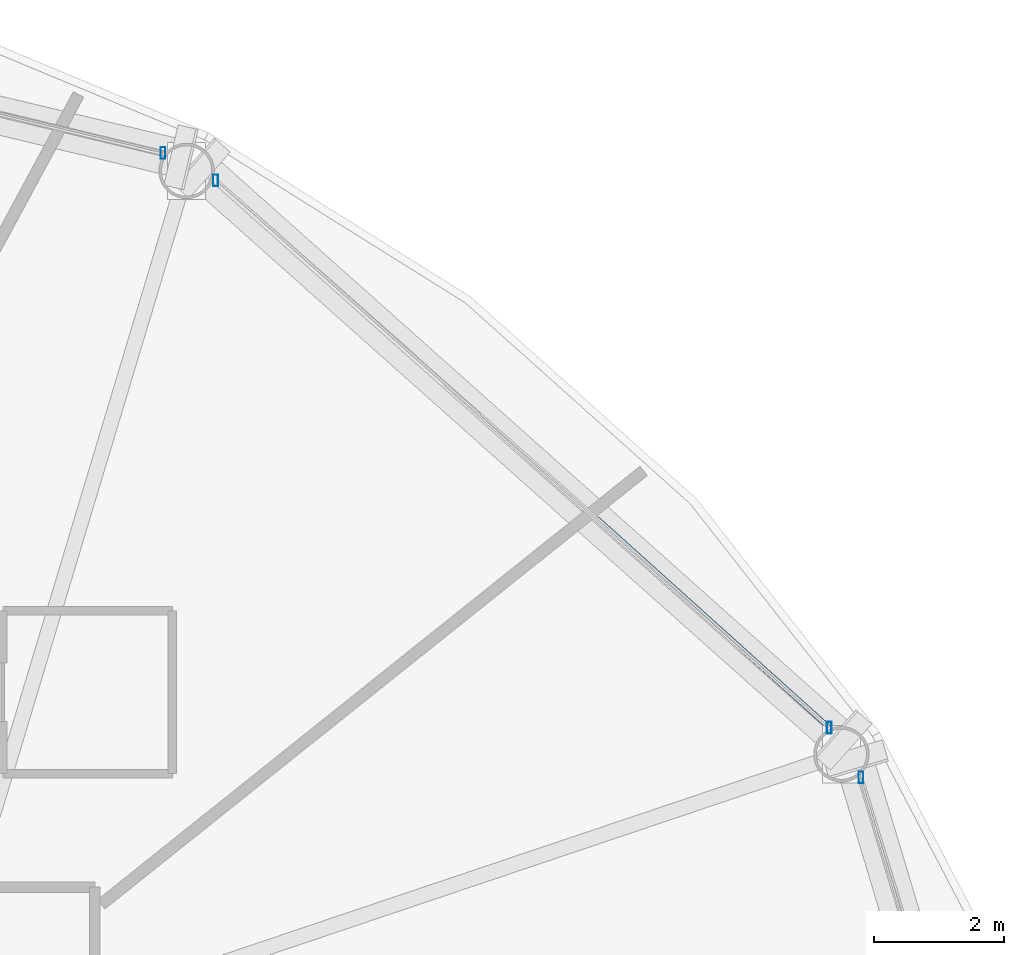
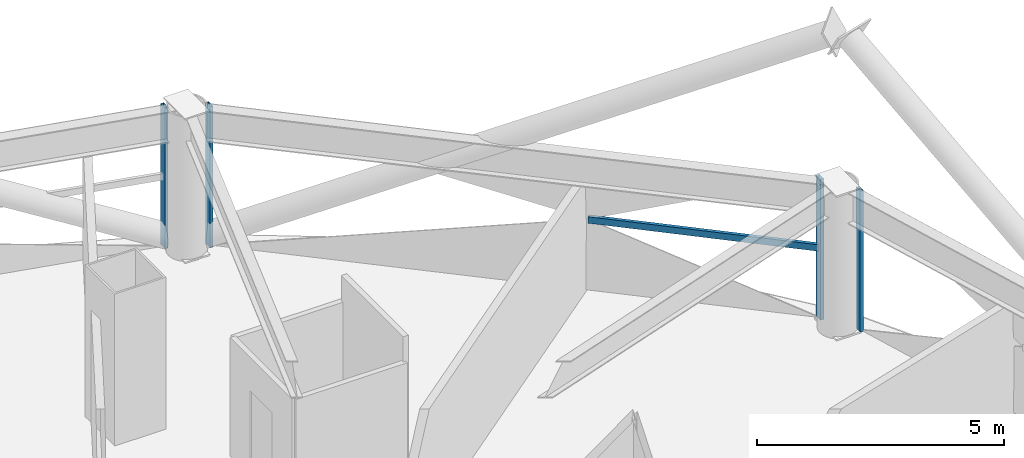
# One storey, part 19 of 30: 5 members, 3 elements without a shape of their own.
"""IFC4 building model written with IfcOpenShell, lengths in metres."""

from ifc_helpers import new_model, si_unit, direction, frame, origin, origin_2d, place, context, subcontext, project, spatial, hollow_rectangle, extrude, material, layer, layer_set, material_profile, profile_set, type_object, element, aggregate, save


model = new_model("IFC4")

# Units and contexts
model_context = context("Model", 3, precision=1e-05, world=origin(), true_north=direction((0.0, 1.0)))
body_context = subcontext(model_context, "Body", "Model", "MODEL_VIEW")
ifc_project = project(units=[si_unit("LENGTHUNIT", "METRE"), si_unit("AREAUNIT", "SQUARE_METRE"), si_unit("VOLUMEUNIT", "CUBIC_METRE"), si_unit("PLANEANGLEUNIT", "RADIAN"), si_unit("MASSUNIT", "GRAM", prefix="KILO")], contexts=[model_context])

# Site, building, storey
site_placement = place(None, origin())
site = spatial("IfcSite", under=ifc_project, at=site_placement, CompositionType="ELEMENT")
building_placement = place(site_placement, origin())
building = spatial("IfcBuilding", under=site, at=building_placement, Name="Vantalir Tower", CompositionType="ELEMENT")
storey_placement = place(building_placement, frame((0.0, 0.0, 57.0)))
storey = spatial("IfcBuildingStorey", under=building, at=storey_placement, Name="L13", CompositionType="ELEMENT", Elevation=57.0)

# Curtain wall, member
ifc_material_1 = material(Name="Champagne-silver PVDF aluminium and double-silver Low-E glass", Category="aluminium")
ifc_layer = layer(ifc_material_1, 0.18994140625)
ifc_layer_set = layer_set([ifc_layer], Name="Champagne-silver PVDF aluminium and double-silver Low-E glass")
curtain_wall_type = type_object("IfcCurtainWallType", Name="CW-DIAMOND-Z1", PredefinedType="USERDEFINED", material=ifc_layer_set)
curtain_wall_1_placement = place(storey_placement, origin())
curtain_wall_1 = element("IfcCurtainWall", 1, at=curtain_wall_1_placement, inside=storey, type_object=curtain_wall_type, Name="L13 Quilted Pyramid-Diamond Curtain Wall S01", ObjectType="UNITISED CURTAIN WALL", PredefinedType="USERDEFINED")
ifc_material_2 = material(Name="Champagne-silver PVDF aluminium 6063-T6", Category="aluminium")
ifc_material_profile_1 = material_profile(ifc_material_2, hollow_rectangle(XDim=0.074951171875, YDim=0.179931640625, WallThickness=0.00390625, at=origin_2d()), Name="Champagne-silver PVDF aluminium 6063-T6")
ifc_profile_set_1 = profile_set([ifc_material_profile_1], Name="Champagne-silver PVDF aluminium 6063-T6")
member_type_1 = type_object("IfcMemberType", Name="CWM-180x75", PredefinedType="MULLION", material=ifc_profile_set_1)
member_1_placement = place(storey_placement, frame((55.572998046875, 36.8701171875, 0.044921875), z_axis=(0.0, 0.0, 1.0), x_axis=(1.0, 0.0, 0.0)))
member_1 = element("IfcMember", 2, at=member_1_placement, type_object=member_type_1, Name="CW-L13-S01 Mullion 2", PredefinedType="MULLION", context=body_context, shape_type="SweptSolid", body=[
    extrude(hollow_rectangle(XDim=0.074951171875, YDim=0.179931640625, WallThickness=0.00390625, at=origin_2d()), origin(), (0.0, 0.0, 1.0), 3.47998046875),
])
aggregate(curtain_wall_1, [member_1])

# Curtain wall, members
curtain_wall_2_placement = place(storey_placement, origin())
curtain_wall_2 = element("IfcCurtainWall", 3, at=curtain_wall_2_placement, inside=storey, type_object=curtain_wall_type, Name="L13 Quilted Pyramid-Diamond Curtain Wall S02", ObjectType="UNITISED CURTAIN WALL", PredefinedType="USERDEFINED")
member_2_placement = place(storey_placement, frame((55.0869140625, 37.633056640625, 0.044921875), z_axis=(0.0, 0.0, 1.0), x_axis=(1.0, 0.0, 0.0)))
member_2 = element("IfcMember", 4, at=member_2_placement, type_object=member_type_1, Name="CW-L13-S02 Mullion 1", PredefinedType="MULLION", context=body_context, shape_type="SweptSolid", body=[
    extrude(hollow_rectangle(XDim=0.074951171875, YDim=0.179931640625, WallThickness=0.00390625, at=origin_2d()), origin(), (0.0, 0.0, 1.0), 3.47998046875),
])
member_3_placement = place(storey_placement, frame((45.672119140625, 46.027099609375, 0.044921875), z_axis=(0.0, 0.0, 1.0), x_axis=(1.0, 0.0, 0.0)))
member_3 = element("IfcMember", 5, at=member_3_placement, type_object=member_type_1, Name="CW-L13-S02 Mullion 2", PredefinedType="MULLION", context=body_context, shape_type="SweptSolid", body=[
    extrude(hollow_rectangle(XDim=0.074951171875, YDim=0.179931640625, WallThickness=0.00390625, at=origin_2d()), origin(), (0.0, 0.0, 1.0), 3.47998046875),
])

# Curtain wall, member
curtain_wall_3_placement = place(storey_placement, origin())
curtain_wall_3 = element("IfcCurtainWall", 6, at=curtain_wall_3_placement, inside=storey, type_object=curtain_wall_type, Name="L13 Quilted Pyramid-Diamond Curtain Wall S03", ObjectType="UNITISED CURTAIN WALL", PredefinedType="USERDEFINED")
member_4_placement = place(storey_placement, frame((44.864013671875, 46.448974609375, 0.044921875), z_axis=(0.0, 0.0, 1.0), x_axis=(1.0, 0.0, 0.0)))
member_4 = element("IfcMember", 7, at=member_4_placement, type_object=member_type_1, Name="CW-L13-S03 Mullion 1", PredefinedType="MULLION", context=body_context, shape_type="SweptSolid", body=[
    extrude(hollow_rectangle(XDim=0.074951171875, YDim=0.179931640625, WallThickness=0.00390625, at=origin_2d()), origin(), (0.0, 0.0, 1.0), 3.47998046875),
])
aggregate(curtain_wall_3, [member_4])

# Member
ifc_material_profile_2 = material_profile(ifc_material_2, hollow_rectangle(XDim=0.074951171875, YDim=0.159912109375, WallThickness=0.00390625, at=origin_2d()), Name="Champagne-silver PVDF aluminium 6063-T6")
ifc_profile_set_2 = profile_set([ifc_material_profile_2], Name="Champagne-silver PVDF aluminium 6063-T6")
member_type_2 = type_object("IfcMemberType", Name="CWT-160x75", PredefinedType="USERDEFINED", material=ifc_profile_set_2)
member_5_placement = place(storey_placement, frame((55.0869140625, 37.633056640625, 1.784912109375), z_axis=(-0.743098935585, 0.669181568733, 0.0), x_axis=(-0.669181568733, -0.743098935585, 0.0)))
member_5 = element("IfcMember", 8, at=member_5_placement, type_object=member_type_2, Name="CW-L13-S02 Pyramid Fold Ridge Transom", ObjectType="TRANSOM", PredefinedType="USERDEFINED", context=body_context, shape_type="SweptSolid", body=[
    extrude(hollow_rectangle(XDim=0.074951171875, YDim=0.159912109375, WallThickness=0.00390625, at=origin_2d()), origin(), (0.0, 0.0, 1.0), 4.7890625),
])

aggregate(curtain_wall_2, [member_2, member_3, member_5])

save(model, "model.ifc")
